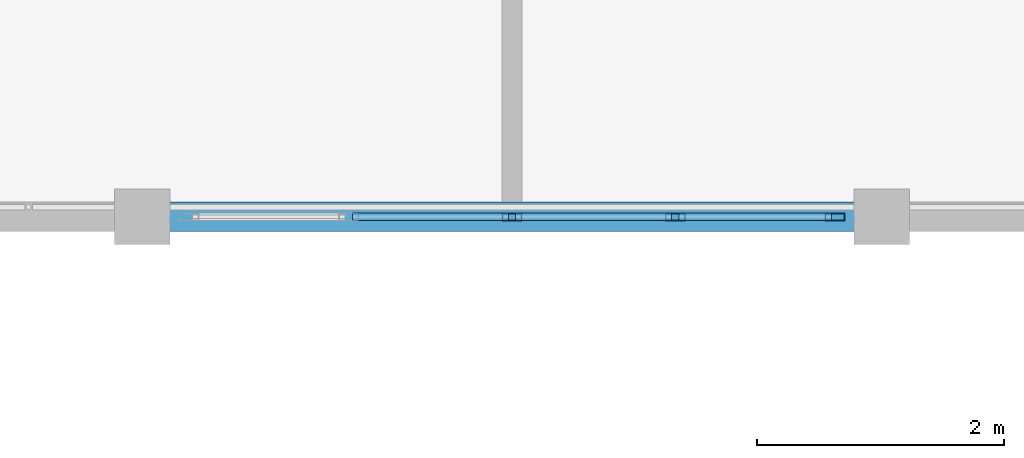
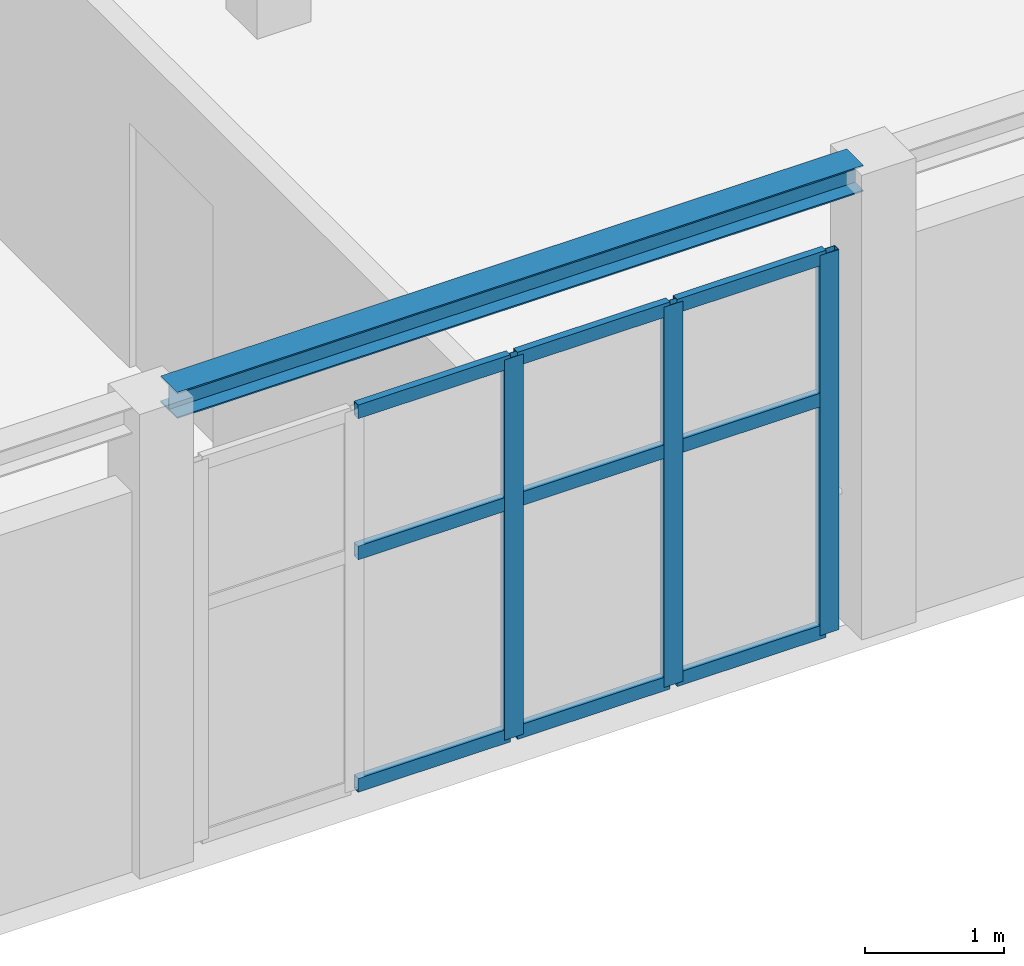
# One storey, part 47 of 128: 12 members, 1 beam, 1 element without a shape of its own.
"""IFC4 building model written with IfcOpenShell, lengths in metres."""

from ifc_helpers import new_model, si_unit, direction, frame, origin, origin_2d, place, context, subcontext, project, spatial, hollow_rectangle, i_section, extrude, material, material_profile, profile_set, type_object, element, aggregate, save


model = new_model("IFC4")

# Units and contexts
model_context = context("Model", 3, precision=1e-05, world=origin(), true_north=direction((0.0, 1.0)))
body_context = subcontext(model_context, "Body", "Model", "MODEL_VIEW")
ifc_project = project(units=[si_unit("LENGTHUNIT", "METRE"), si_unit("AREAUNIT", "SQUARE_METRE"), si_unit("VOLUMEUNIT", "CUBIC_METRE"), si_unit("PLANEANGLEUNIT", "RADIAN"), si_unit("MASSUNIT", "GRAM", prefix="KILO")], contexts=[model_context])

# Site, building, storey
site_placement = place(None, origin())
site = spatial("IfcSite", under=ifc_project, at=site_placement, CompositionType="ELEMENT")
building_placement = place(site_placement, origin())
building = spatial("IfcBuilding", under=site, at=building_placement, Name="Tanwirah Colonnade Gardens", CompositionType="ELEMENT")
storey_placement = place(building_placement, frame((0.0, 0.0, 4.760009765625)))
storey = spatial("IfcBuildingStorey", under=building, at=storey_placement, Name="L01", CompositionType="ELEMENT", Elevation=4.760009765625)

# Curtain wall, members
ifc_material_1 = material(Name="Bronze-anodised aluminium and solar-control low-E glass", Category="aluminium")
curtain_wall_type = type_object("IfcCurtainWallType", Name="CW-NUR", PredefinedType="NOTDEFINED", material=ifc_material_1)
curtain_wall_placement = place(storey_placement, origin())
curtain_wall = element("IfcCurtainWall", 1, at=curtain_wall_placement, inside=storey, type_object=curtain_wall_type, Name="Curtain Wall CW-NUR-L01-S-3", PredefinedType="NOTDEFINED")
ifc_material_2 = material(Name="Bronze-anodised aluminium", Category="aluminium")
ifc_material_profile_1 = material_profile(ifc_material_2, hollow_rectangle(XDim=0.06005859375, YDim=0.159912109375, WallThickness=0.00390625, at=origin_2d()), Name="CW-MUL 60x160x4")
ifc_profile_set_1 = profile_set([ifc_material_profile_1], Name="Bronze-anodised aluminium")
member_type_1 = type_object("IfcMemberType", Name="CWM-60x160", PredefinedType="MULLION", material=ifc_profile_set_1)
member_1_placement = place(storey_placement, frame((99.0, 92.0, 0.0), z_axis=(0.0, 0.0, 1.0), x_axis=(0.0, 1.0, 0.0)))
member_1 = element("IfcMember", 2, at=member_1_placement, type_object=member_type_1, Name="CW-NUR mullion 3", PredefinedType="MULLION", context=body_context, shape_type="SweptSolid", body=[
    extrude(hollow_rectangle(XDim=0.06005859375, YDim=0.159912109375, WallThickness=0.00390625, at=origin_2d()), origin(), (0.0, 0.0, 1.0), 3.340087890625),
])
member_2_placement = place(storey_placement, frame((100.324951171875, 92.0, 0.0), z_axis=(0.0, 0.0, 1.0), x_axis=(0.0, 1.0, 0.0)))
member_2 = element("IfcMember", 3, at=member_2_placement, type_object=member_type_1, Name="CW-NUR mullion 4", PredefinedType="MULLION", context=body_context, shape_type="SweptSolid", body=[
    extrude(hollow_rectangle(XDim=0.06005859375, YDim=0.159912109375, WallThickness=0.00390625, at=origin_2d()), origin(), (0.0, 0.0, 1.0), 3.340087890625),
])
member_3_placement = place(storey_placement, frame((101.6201171875, 92.0, 0.0), z_axis=(0.0, 0.0, 1.0), x_axis=(0.0, 1.0, 0.0)))
member_3 = element("IfcMember", 4, at=member_3_placement, type_object=member_type_1, Name="CW-NUR mullion 5", PredefinedType="MULLION", context=body_context, shape_type="SweptSolid", body=[
    extrude(hollow_rectangle(XDim=0.06005859375, YDim=0.159912109375, WallThickness=0.00390625, at=origin_2d()), origin(), (0.0, 0.0, 1.0), 3.340087890625),
])
ifc_material_profile_2 = material_profile(ifc_material_2, hollow_rectangle(XDim=0.06005859375, YDim=0.1201171875, WallThickness=0.00390625, at=origin_2d()), Name="CW-TRN 60x120x4")
ifc_profile_set_2 = profile_set([ifc_material_profile_2], Name="Bronze-anodised aluminium")
member_type_2 = type_object("IfcMemberType", Name="CWT-60x120", PredefinedType="USERDEFINED", material=ifc_profile_set_2)
member_4_placement = place(storey_placement, frame((97.705078125, 92.0, 0.030029296875), z_axis=(1.0, 0.0, 0.0), x_axis=(0.0, 1.0, 0.0)))
member_4 = element("IfcMember", 5, at=member_4_placement, type_object=member_type_2, Name="CW-NUR transom 2.1", ObjectType="TRANSOM", PredefinedType="USERDEFINED", context=body_context, shape_type="SweptSolid", body=[
    extrude(hollow_rectangle(XDim=0.06005859375, YDim=0.1201171875, WallThickness=0.00390625, at=origin_2d()), origin(), (0.0, 0.0, 1.0), 1.264892578125),
])
member_5_placement = place(storey_placement, frame((97.705078125, 92.0, 2.07080078125), z_axis=(1.0, 0.0, 0.0), x_axis=(0.0, 1.0, 0.0)))
member_5 = element("IfcMember", 6, at=member_5_placement, type_object=member_type_2, Name="CW-NUR transom 2.2", ObjectType="TRANSOM", PredefinedType="USERDEFINED", context=body_context, shape_type="SweptSolid", body=[
    extrude(hollow_rectangle(XDim=0.06005859375, YDim=0.1201171875, WallThickness=0.00390625, at=origin_2d()), origin(), (0.0, 0.0, 1.0), 1.264892578125),
])
member_6_placement = place(storey_placement, frame((97.705078125, 92.0, 3.31005859375), z_axis=(1.0, 0.0, 0.0), x_axis=(0.0, 1.0, 0.0)))
member_6 = element("IfcMember", 7, at=member_6_placement, type_object=member_type_2, Name="CW-NUR transom 2.3", ObjectType="TRANSOM", PredefinedType="USERDEFINED", context=body_context, shape_type="SweptSolid", body=[
    extrude(hollow_rectangle(XDim=0.06005859375, YDim=0.1201171875, WallThickness=0.00390625, at=origin_2d()), origin(), (0.0, 0.0, 1.0), 1.264892578125),
])
member_7_placement = place(storey_placement, frame((99.030029296875, 92.0, 0.030029296875), z_axis=(1.0, 0.0, 0.0), x_axis=(0.0, 1.0, 0.0)))
member_7 = element("IfcMember", 8, at=member_7_placement, type_object=member_type_2, Name="CW-NUR transom 3.1", ObjectType="TRANSOM", PredefinedType="USERDEFINED", context=body_context, shape_type="SweptSolid", body=[
    extrude(hollow_rectangle(XDim=0.06005859375, YDim=0.1201171875, WallThickness=0.00390625, at=origin_2d()), origin(), (0.0, 0.0, 1.0), 1.264892578125),
])
member_8_placement = place(storey_placement, frame((99.030029296875, 92.0, 2.07080078125), z_axis=(1.0, 0.0, 0.0), x_axis=(0.0, 1.0, 0.0)))
member_8 = element("IfcMember", 9, at=member_8_placement, type_object=member_type_2, Name="CW-NUR transom 3.2", ObjectType="TRANSOM", PredefinedType="USERDEFINED", context=body_context, shape_type="SweptSolid", body=[
    extrude(hollow_rectangle(XDim=0.06005859375, YDim=0.1201171875, WallThickness=0.00390625, at=origin_2d()), origin(), (0.0, 0.0, 1.0), 1.264892578125),
])
member_9_placement = place(storey_placement, frame((99.030029296875, 92.0, 3.31005859375), z_axis=(1.0, 0.0, 0.0), x_axis=(0.0, 1.0, 0.0)))
member_9 = element("IfcMember", 10, at=member_9_placement, type_object=member_type_2, Name="CW-NUR transom 3.3", ObjectType="TRANSOM", PredefinedType="USERDEFINED", context=body_context, shape_type="SweptSolid", body=[
    extrude(hollow_rectangle(XDim=0.06005859375, YDim=0.1201171875, WallThickness=0.00390625, at=origin_2d()), origin(), (0.0, 0.0, 1.0), 1.264892578125),
])
member_10_placement = place(storey_placement, frame((100.35498046875, 92.0, 0.030029296875), z_axis=(1.0, 0.0, 0.0), x_axis=(0.0, 1.0, 0.0)))
member_10 = element("IfcMember", 11, at=member_10_placement, type_object=member_type_2, Name="CW-NUR transom 4.1", ObjectType="TRANSOM", PredefinedType="USERDEFINED", context=body_context, shape_type="SweptSolid", body=[
    extrude(hollow_rectangle(XDim=0.06005859375, YDim=0.1201171875, WallThickness=0.00390625, at=origin_2d()), origin(), (0.0, 0.0, 1.0), 1.235107421875),
])
member_11_placement = place(storey_placement, frame((100.35498046875, 92.0, 2.07080078125), z_axis=(1.0, 0.0, 0.0), x_axis=(0.0, 1.0, 0.0)))
member_11 = element("IfcMember", 12, at=member_11_placement, type_object=member_type_2, Name="CW-NUR transom 4.2", ObjectType="TRANSOM", PredefinedType="USERDEFINED", context=body_context, shape_type="SweptSolid", body=[
    extrude(hollow_rectangle(XDim=0.06005859375, YDim=0.1201171875, WallThickness=0.00390625, at=origin_2d()), origin(), (0.0, 0.0, 1.0), 1.235107421875),
])
member_12_placement = place(storey_placement, frame((100.35498046875, 92.0, 3.31005859375), z_axis=(1.0, 0.0, 0.0), x_axis=(0.0, 1.0, 0.0)))
member_12 = element("IfcMember", 13, at=member_12_placement, type_object=member_type_2, Name="CW-NUR transom 4.3", ObjectType="TRANSOM", PredefinedType="USERDEFINED", context=body_context, shape_type="SweptSolid", body=[
    extrude(hollow_rectangle(XDim=0.06005859375, YDim=0.1201171875, WallThickness=0.00390625, at=origin_2d()), origin(), (0.0, 0.0, 1.0), 1.235107421875),
])
aggregate(curtain_wall, [member_1, member_2, member_3, member_4, member_5, member_6, member_7, member_8, member_9, member_10, member_11, member_12])

# Beam
ifc_material_3 = material(Name="Steel S355", Category="steel")
ifc_material_profile_3 = material_profile(ifc_material_3, i_section(OverallWidth=0.239990234375, OverallDepth=0.22998046875, WebThickness=0.007568359375, FlangeThickness=0.011962890625, at=origin_2d()), Name="HEA 240")
ifc_profile_set_3 = profile_set([ifc_material_profile_3], Name="Steel S355")
beam_type = type_object("IfcBeamType", Name="SBM-HEA240", PredefinedType="BEAM", material=ifc_profile_set_3)
beam_placement = place(storey_placement, frame((96.14990234375, 92.0, 3.965087890625), z_axis=(1.0, 0.0, 0.0), x_axis=(0.0, 1.0, 0.0)))
element("IfcBeam", 14, at=beam_placement, inside=storey, type_object=beam_type, Name="Nursery L01 Beam X-3.0", PredefinedType="BEAM", context=body_context, shape_type="SweptSolid", body=[
    extrude(i_section(OverallWidth=0.239990234375, OverallDepth=0.22998046875, WebThickness=0.007568359375, FlangeThickness=0.011962890625, at=origin_2d()), origin(), (0.0, 0.0, 1.0), 5.7001953125),
])

save(model, "model.ifc")
